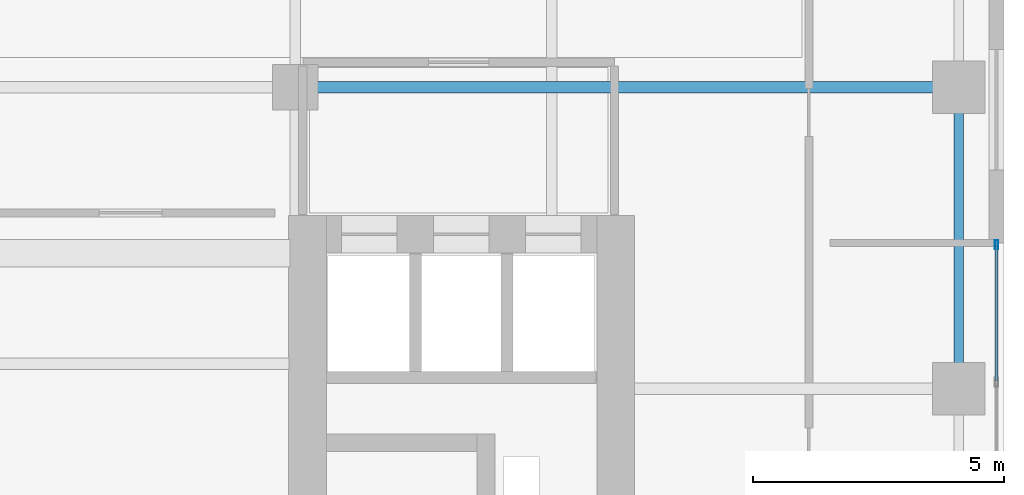
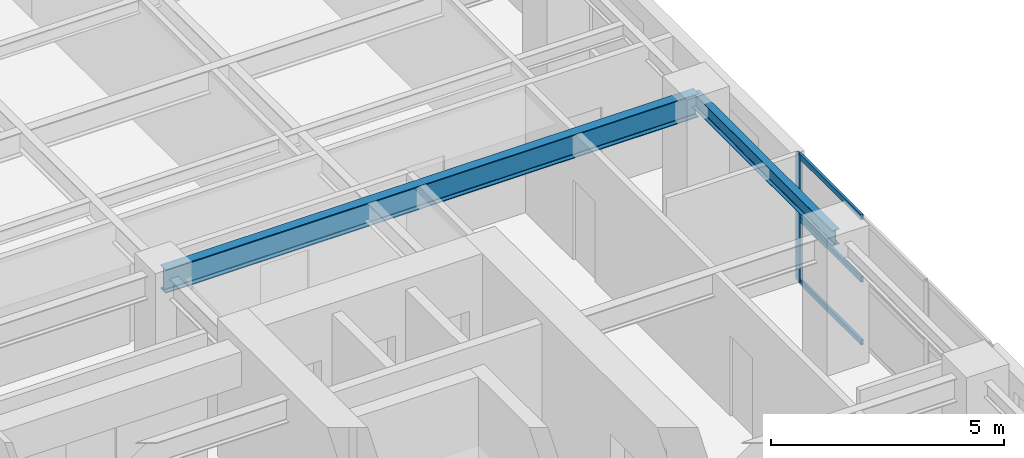
# One storey, part 8 of 20: 4 members, 2 beams, 1 element without a shape of its own.
"""IFC4 building model written with IfcOpenShell, lengths in metres."""

from ifc_helpers import new_model, si_unit, direction, frame, origin, origin_2d, place, context, subcontext, project, spatial, hollow_rectangle, i_section, extrude, source, transform, mapped, material, layer, layer_set, material_profile, profile_set, type_object, element, aggregate, save


model = new_model("IFC4")

# Units and contexts
model_context = context("Model", 3, precision=1e-05, world=origin(), true_north=direction((0.0, 1.0)))
body_context = subcontext(model_context, "Body", "Model", "MODEL_VIEW")
ifc_project = project(units=[si_unit("LENGTHUNIT", "METRE"), si_unit("AREAUNIT", "SQUARE_METRE"), si_unit("VOLUMEUNIT", "CUBIC_METRE"), si_unit("PLANEANGLEUNIT", "RADIAN"), si_unit("MASSUNIT", "GRAM", prefix="KILO")], contexts=[model_context])

# Site, building, storey
site_placement = place(None, origin())
site = spatial("IfcSite", under=ifc_project, at=site_placement, CompositionType="ELEMENT")
building_placement = place(site_placement, origin())
building = spatial("IfcBuilding", under=site, at=building_placement, Name="Khoralis Quay Care Tower", CompositionType="ELEMENT")
storey_placement = place(building_placement, frame((0.0, 0.0, 116.10009765625)))
storey = spatial("IfcBuildingStorey", under=building, at=storey_placement, Name="L30", CompositionType="ELEMENT", Elevation=116.10009765625)

# Beams
ifc_material_1 = material(Name="Steel S355", Category="steel")
ifc_material_profile_1 = material_profile(ifc_material_1, i_section(OverallWidth=0.179931640625, OverallDepth=0.39990234375, WebThickness=0.008544921875, FlangeThickness=0.013427734375, FilletRadius=0.02099609375, at=origin_2d()), Name="Steel S355")
ifc_profile_set_1 = profile_set([ifc_material_profile_1], Name="Steel S355")
beam_type_1 = type_object("IfcBeamType", Name="BM-IPE400", PredefinedType="SPANDREL", material=ifc_profile_set_1)
shared_shape_1 = source(origin(), body_context, "Body", "SweptSolid", [
    extrude(i_section(OverallWidth=0.179931640625, OverallDepth=0.39990234375, WebThickness=0.008544921875, FlangeThickness=0.013427734375, FilletRadius=0.02099609375, at=origin_2d()), origin(), (0.0, 0.0, 1.0), 6.0),
])
beam_1_placement = place(storey_placement, frame((44.10009765625, 24.0, 3.139892578125), z_axis=(0.0, 1.0, 0.0), x_axis=(-1.0, 0.0, 0.0)))
element("IfcBeam", 1, at=beam_1_placement, inside=storey, type_object=beam_type_1, Name="BM-TSP-L30-19", PredefinedType="SPANDREL", context=body_context, shape_type="MappedRepresentation", body=[
    mapped(shared_shape_1, transform((0.0, 0.0, 0.0), scale=1.0)),
])
ifc_material_profile_2 = material_profile(ifc_material_1, i_section(OverallWidth=0.22998046875, OverallDepth=0.616943359375, WebThickness=0.01318359375, FlangeThickness=0.022216796875, FilletRadius=0.01806640625, at=origin_2d()), Name="Steel S355")
ifc_profile_set_2 = profile_set([ifc_material_profile_2], Name="Steel S355")
beam_type_2 = type_object("IfcBeamType", Name="BM-W610X140", PredefinedType="BEAM", material=ifc_profile_set_2)
shared_shape_2 = source(origin(), body_context, "Body", "SweptSolid", [
    extrude(i_section(OverallWidth=0.22998046875, OverallDepth=0.616943359375, WebThickness=0.01318359375, FlangeThickness=0.022216796875, FilletRadius=0.01806640625, at=origin_2d()), origin(), (0.0, 0.0, 1.0), 13.2001953125),
])
beam_2_placement = place(storey_placement, frame((30.89990234375, 30.0, 3.031494140625), z_axis=(1.0, 0.0, 0.0), x_axis=(0.0, 1.0, 0.0)))
element("IfcBeam", 2, at=beam_2_placement, inside=storey, type_object=beam_type_2, Name="BM-TGXE-L30-300", PredefinedType="BEAM", context=body_context, shape_type="MappedRepresentation", body=[
    mapped(shared_shape_2, transform((0.0, 0.0, 0.0), scale=1.0)),
])

# Curtain wall, members
ifc_material_2 = material(Name="Pale anodised aluminium", Category="aluminium")
ifc_layer = layer(ifc_material_2, 0.169921875)
ifc_layer_set = layer_set([ifc_layer], Name="Pale anodised aluminium")
curtain_wall_type = type_object("IfcCurtainWallType", Name="CW-SYS-Z2", PredefinedType="NOTDEFINED", material=ifc_layer_set)
curtain_wall_placement = place(storey_placement, origin())
curtain_wall = element("IfcCurtainWall", 3, at=curtain_wall_placement, inside=storey, type_object=curtain_wall_type, Name="L30 Unitised Curtain Wall CW-L30-P1-E5", PredefinedType="NOTDEFINED")
ifc_material_profile_3 = material_profile(ifc_material_2, hollow_rectangle(XDim=0.06005859375, YDim=0.139892578125, WallThickness=0.00390625, at=origin_2d()), Name="Pale anodised aluminium")
ifc_profile_set_3 = profile_set([ifc_material_profile_3], Name="Pale anodised aluminium")
member_type_1 = type_object("IfcMemberType", Name="CW-TRN-140", PredefinedType="USERDEFINED", material=ifc_profile_set_3)
shared_shape_3 = source(origin(), body_context, "Body", "SweptSolid", [
    extrude(hollow_rectangle(XDim=0.06005859375, YDim=0.139892578125, WallThickness=0.00390625, at=origin_2d()), origin(), (0.0, 0.0, 1.0), 2.6767578125),
])
member_1_placement = place(storey_placement, frame((44.85009765625, 24.163330078125, 0.02978515625), z_axis=(0.0, 1.0, 0.0), x_axis=(-1.0, 0.0, 0.0)))
member_1 = element("IfcMember", 4, at=member_1_placement, type_object=member_type_1, Name="CW2 transom 3.1", ObjectType="TRANSOM", PredefinedType="USERDEFINED", context=body_context, shape_type="MappedRepresentation", body=[
    mapped(shared_shape_3, transform((0.0, 0.0, 0.0), scale=1.0)),
])
member_2_placement = place(storey_placement, frame((44.85009765625, 24.163330078125, 1.669921875), z_axis=(0.0, 1.0, 0.0), x_axis=(-1.0, 0.0, 0.0)))
member_2 = element("IfcMember", 5, at=member_2_placement, type_object=member_type_1, Name="CW2 transom 3.2", ObjectType="TRANSOM", PredefinedType="USERDEFINED", context=body_context, shape_type="MappedRepresentation", body=[
    mapped(shared_shape_3, transform((0.0, 0.0, 0.0), scale=1.0)),
])
member_3_placement = place(storey_placement, frame((44.85009765625, 24.163330078125, 3.309814453125), z_axis=(0.0, 1.0, 0.0), x_axis=(-1.0, 0.0, 0.0)))
member_3 = element("IfcMember", 6, at=member_3_placement, type_object=member_type_1, Name="CW2 transom 3.3", ObjectType="TRANSOM", PredefinedType="USERDEFINED", context=body_context, shape_type="MappedRepresentation", body=[
    mapped(shared_shape_3, transform((0.0, 0.0, 0.0), scale=1.0)),
])
ifc_material_profile_4 = material_profile(ifc_material_2, hollow_rectangle(XDim=0.06494140625, YDim=0.179931640625, WallThickness=0.00390625, at=origin_2d()), Name="Pale anodised aluminium")
ifc_profile_set_4 = profile_set([ifc_material_profile_4], Name="Pale anodised aluminium")
member_type_2 = type_object("IfcMemberType", Name="CW-MUL-180", PredefinedType="MULLION", material=ifc_profile_set_4)
shared_shape_4 = source(origin(), body_context, "Body", "SweptSolid", [
    extrude(hollow_rectangle(XDim=0.06494140625, YDim=0.179931640625, WallThickness=0.00390625, at=origin_2d()), origin(), (0.0, 0.0, 1.0), 3.33984375),
])
member_4_placement = place(storey_placement, frame((44.85009765625, 26.8701171875, 0.0), z_axis=(0.0, 0.0, 1.0), x_axis=(-1.0, 0.0, 0.0)))
member_4 = element("IfcMember", 7, at=member_4_placement, type_object=member_type_2, Name="CW2 mullion 4", PredefinedType="MULLION", context=body_context, shape_type="MappedRepresentation", body=[
    mapped(shared_shape_4, transform((0.0, 0.0, 0.0), scale=1.0)),
])
aggregate(curtain_wall, [member_4, member_1, member_2, member_3])

save(model, "model.ifc")
